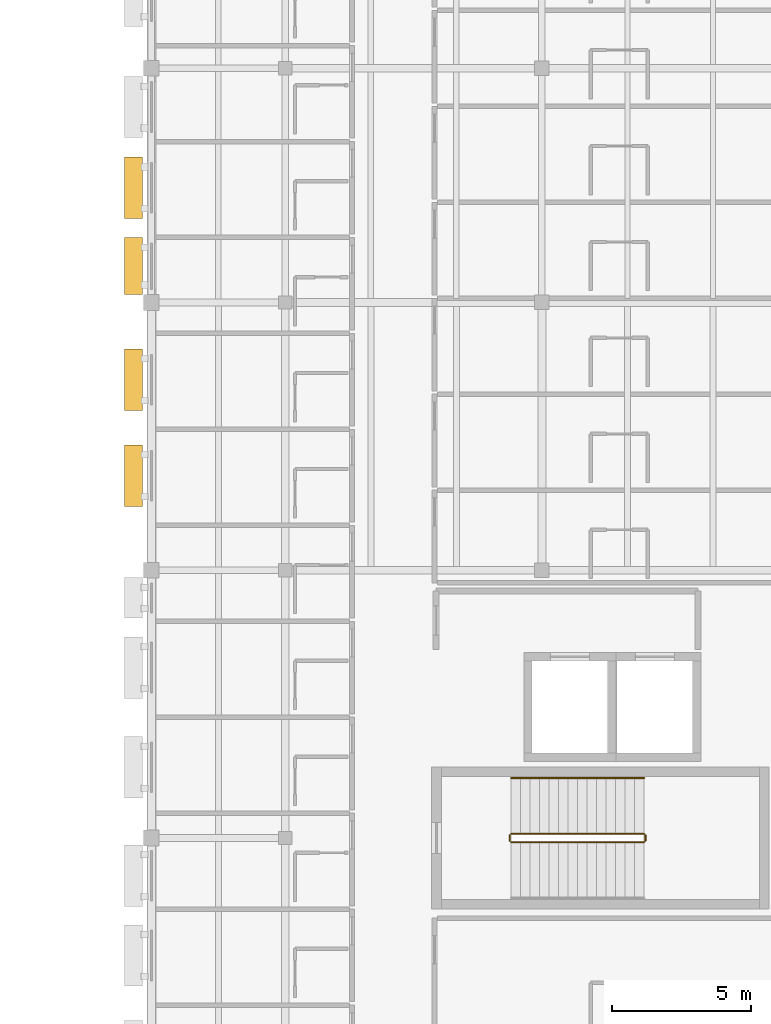
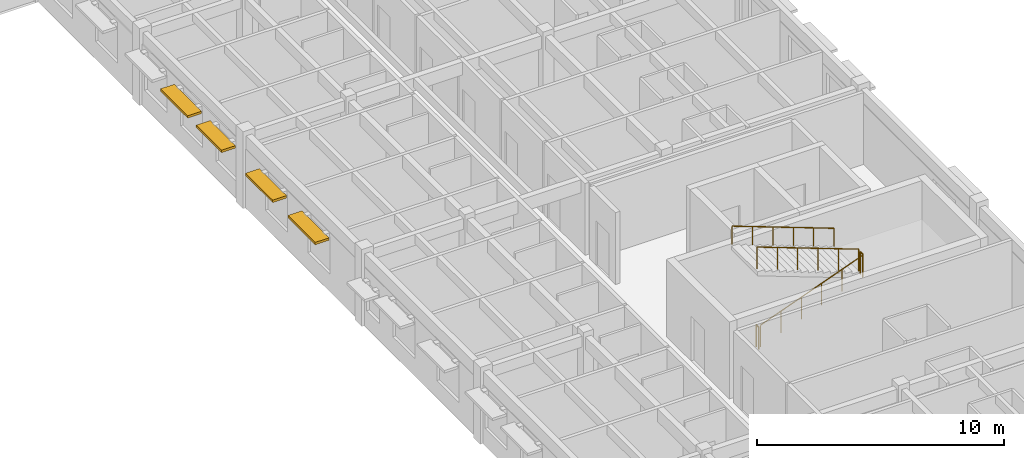
# One storey, part 27 of 31: 5 railings, 4 shading devices.
"""IFC4 building model written with IfcOpenShell, lengths in metres."""

from ifc_helpers import new_model, si_unit, direction, frame, origin, origin_2d, place, context, subcontext, project, spatial, rectangle, circle, extrude, material, type_object, element, save


model = new_model("IFC4")

# Units and contexts
model_context = context("Model", 3, precision=1e-05, world=origin(), true_north=direction((0.0, 1.0)))
body_context = subcontext(model_context, "Body", "Model", "MODEL_VIEW")
ifc_project = project(units=[si_unit("LENGTHUNIT", "METRE"), si_unit("AREAUNIT", "SQUARE_METRE"), si_unit("VOLUMEUNIT", "CUBIC_METRE"), si_unit("PLANEANGLEUNIT", "RADIAN"), si_unit("MASSUNIT", "GRAM", prefix="KILO")], contexts=[model_context])

# Site, building, storey
site_placement = place(None, origin())
site = spatial("IfcSite", under=ifc_project, at=site_placement, CompositionType="ELEMENT")
building_placement = place(site_placement, origin())
building = spatial("IfcBuilding", under=site, at=building_placement, Name="Veldera Park Congress Hotel", CompositionType="ELEMENT")
storey_placement = place(building_placement, frame((0.0, 0.0, 20.0)))
storey = spatial("IfcBuildingStorey", under=building, at=storey_placement, Name="L04", CompositionType="ELEMENT", Elevation=20.0)

# Railings
ifc_material_1 = material(Name="Steel ASTM A992 Gr.50", Category="steel")
railing_type_1 = type_object("IfcRailingType", Name="GRD-ST110", PredefinedType="GUARDRAIL", material=ifc_material_1)
railing_1_placement = place(storey_placement, frame((73.699951171875, -9.14990234375, 0.126708984375)))
element("IfcRailing", 1, at=railing_1_placement, inside=storey, type_object=railing_type_1, Name="L04 ST2 stair guard 1", PredefinedType="GUARDRAIL", context=body_context, shape_type="SweptSolid", body=[
    extrude(circle(Radius=0.02392578125, at=origin_2d()), frame((0.0, 0.0, 1.076171875), z_axis=(0.937091363699, 0.0, 0.349084196263), x_axis=(0.0, 1.0, 0.0)), (0.0, 0.0, 1.0), 5.07958984375),
    extrude(circle(Radius=0.02099609375, at=origin_2d()), origin(), (0.0, 0.0, 1.0), 1.052001953125),
    extrude(circle(Radius=0.02099609375, at=origin_2d()), frame((0.951904296875, 0.0, 0.354736328125)), (0.0, 0.0, 1.0), 1.052001953125),
    extrude(circle(Radius=0.02099609375, at=origin_2d()), frame((1.904052734375, 0.0, 0.709228515625)), (0.0, 0.0, 1.0), 1.052001953125),
    extrude(circle(Radius=0.02099609375, at=origin_2d()), frame((2.85595703125, 0.0, 1.06396484375)), (0.0, 0.0, 1.0), 1.052001953125),
    extrude(circle(Radius=0.02099609375, at=origin_2d()), frame((3.80810546875, 0.0, 1.41845703125)), (0.0, 0.0, 1.0), 1.052001953125),
    extrude(circle(Radius=0.02099609375, at=origin_2d()), frame((4.760009765625, 0.0, 1.773193359375)), (0.0, 0.0, 1.0), 1.052001953125),
])
railing_2_placement = place(storey_placement, frame((78.510009765625, -9.10009765625, 1.89990234375)))
element("IfcRailing", 2, at=railing_2_placement, inside=storey, type_object=railing_type_1, Name="L04 ST2 stair guard 2", PredefinedType="GUARDRAIL", context=body_context, shape_type="SweptSolid", body=[
    extrude(circle(Radius=0.02392578125, at=origin_2d()), frame((0.0, 0.0, 1.076171875), z_axis=(0.0, 1.0, 0.0), x_axis=(-1.0, 0.0, 0.0)), (0.0, 0.0, 1.0), 0.2001953125),
    extrude(circle(Radius=0.02099609375, at=origin_2d()), origin(), (0.0, 0.0, 1.0), 1.052001953125),
    extrude(circle(Radius=0.02099609375, at=origin_2d()), frame((0.0, 0.2001953125, 0.0)), (0.0, 0.0, 1.0), 1.052001953125),
])
railing_3_placement = place(storey_placement, frame((78.4599609375, -8.85009765625, 2.026611328125)))
element("IfcRailing", 3, at=railing_3_placement, inside=storey, type_object=railing_type_1, Name="L04 ST2 stair guard 3", PredefinedType="GUARDRAIL", context=body_context, shape_type="SweptSolid", body=[
    extrude(circle(Radius=0.02392578125, at=origin_2d()), frame((0.0, 0.0, 1.076171875), z_axis=(-0.937075640343, 0.0, 0.349126401572), x_axis=(0.0, -1.0, 0.0)), (0.0, 0.0, 1.0), 5.07958984375),
    extrude(circle(Radius=0.02099609375, at=origin_2d()), origin(), (0.0, 0.0, 1.0), 1.052001953125),
    extrude(circle(Radius=0.02099609375, at=origin_2d()), frame((-0.951904296875, 0.0, 0.354736328125)), (0.0, 0.0, 1.0), 1.052001953125),
    extrude(circle(Radius=0.02099609375, at=origin_2d()), frame((-1.904052734375, 0.0, 0.70947265625)), (0.0, 0.0, 1.0), 1.052001953125),
    extrude(circle(Radius=0.02099609375, at=origin_2d()), frame((-2.85595703125, 0.0, 1.06396484375)), (0.0, 0.0, 1.0), 1.052001953125),
    extrude(circle(Radius=0.02099609375, at=origin_2d()), frame((-3.80810546875, 0.0, 1.418701171875)), (0.0, 0.0, 1.0), 1.052001953125),
    extrude(circle(Radius=0.02099609375, at=origin_2d()), frame((-4.760009765625, 0.0, 1.7734375)), (0.0, 0.0, 1.0), 1.052001953125),
])
railing_4_placement = place(storey_placement, frame((73.64990234375, -9.10009765625, 0.0)))
element("IfcRailing", 4, at=railing_4_placement, inside=storey, type_object=railing_type_1, Name="L04 ST2 stair guard 4", PredefinedType="GUARDRAIL", context=body_context, shape_type="SweptSolid", body=[
    extrude(circle(Radius=0.02392578125, at=origin_2d()), frame((0.0, 0.0, 1.076171875), z_axis=(0.0, 1.0, 0.0), x_axis=(-1.0, 0.0, 0.0)), (0.0, 0.0, 1.0), 0.2001953125),
    extrude(circle(Radius=0.02099609375, at=origin_2d()), origin(), (0.0, 0.0, 1.0), 1.052001953125),
    extrude(circle(Radius=0.02099609375, at=origin_2d()), frame((0.0, 0.2001953125, 0.0)), (0.0, 0.0, 1.0), 1.052001953125),
])
railing_type_2 = type_object("IfcRailingType", Name="HRL-920", PredefinedType="HANDRAIL", material=ifc_material_1)
railing_5_placement = place(storey_placement, frame((78.4599609375, -6.85009765625, 2.026611328125)))
element("IfcRailing", 5, at=railing_5_placement, inside=storey, type_object=railing_type_2, Name="L04 ST2 stair handrail 2", PredefinedType="HANDRAIL", context=body_context, shape_type="SweptSolid", body=[
    extrude(circle(Radius=0.02392578125, at=origin_2d()), frame((0.0, 0.0, 0.89599609375), z_axis=(-0.937075640343, 0.0, 0.349126401572), x_axis=(0.0, -1.0, 0.0)), (0.0, 0.0, 1.0), 5.07958984375),
    extrude(circle(Radius=0.02099609375, at=origin_2d()), origin(), (0.0, 0.0, 1.0), 0.871826171875),
    extrude(circle(Radius=0.02099609375, at=origin_2d()), frame((-0.951904296875, 0.0, 0.354736328125)), (0.0, 0.0, 1.0), 0.871826171875),
    extrude(circle(Radius=0.02099609375, at=origin_2d()), frame((-1.904052734375, 0.0, 0.70947265625)), (0.0, 0.0, 1.0), 0.871826171875),
    extrude(circle(Radius=0.02099609375, at=origin_2d()), frame((-2.85595703125, 0.0, 1.06396484375)), (0.0, 0.0, 1.0), 0.871826171875),
    extrude(circle(Radius=0.02099609375, at=origin_2d()), frame((-3.80810546875, 0.0, 1.418701171875)), (0.0, 0.0, 1.0), 0.871826171875),
    extrude(circle(Radius=0.02099609375, at=origin_2d()), frame((-4.760009765625, 0.0, 1.7734375)), (0.0, 0.0, 1.0), 0.871826171875),
])

# Shading devices
ifc_material_2 = material(Name="Glulam GL28h (NDS 24F-V4)", Category="wood")
shading_device_type = type_object("IfcShadingDeviceType", Name="SHD-LVR300", PredefinedType="JALOUSIE", material=ifc_material_2)
for number, where, z_axis, x_axis, name in (
    (6, (60.155029296875, 3.989990234375, 2.719970703125), (0.0, 0.0, 1.0), (0.0, -1.0, 0.0), "Glulam Solar Shade 369"),
    (7, (60.155029296875, 7.429931640625, 2.719970703125), (0.0, 0.0, 1.0), (0.0, -1.0, 0.0), "Glulam Solar Shade 370"),
):
    element("IfcShadingDevice", number, at=place(storey_placement, frame(where, z_axis=z_axis, x_axis=x_axis)), inside=storey, type_object=shading_device_type, Name=name, PredefinedType="JALOUSIE", context=body_context, shape_type="SweptSolid", body=[
        extrude(rectangle(XDim=2.199951171875, YDim=0.64990234375, at=origin_2d()), origin(), (0.0, 0.0, 1.0), 0.1201171875),
    ])
shading_device_1_placement = place(storey_placement, frame((60.155029296875, 11.50390625, 2.669921875), z_axis=(0.0, 0.0, 1.0), x_axis=(0.0, -1.0, 0.0)))
element("IfcShadingDevice", 8, at=shading_device_1_placement, inside=storey, type_object=shading_device_type, Name="Glulam Solar Shade 371", PredefinedType="JALOUSIE", context=body_context, shape_type="SweptSolid", body=[
    extrude(rectangle(XDim=2.050048828125, YDim=0.64990234375, at=origin_2d()), origin(), (0.0, 0.0, 1.0), 0.1201171875),
])
shading_device_2_placement = place(storey_placement, frame((60.155029296875, 14.31005859375, 2.719970703125), z_axis=(0.0, 0.0, 1.0), x_axis=(0.0, -1.0, 0.0)))
element("IfcShadingDevice", 9, at=shading_device_2_placement, inside=storey, type_object=shading_device_type, Name="Glulam Solar Shade 372", PredefinedType="JALOUSIE", context=body_context, shape_type="SweptSolid", body=[
    extrude(rectangle(XDim=2.199951171875, YDim=0.64990234375, at=origin_2d()), origin(), (0.0, 0.0, 1.0), 0.1201171875),
])

save(model, "model.ifc")
